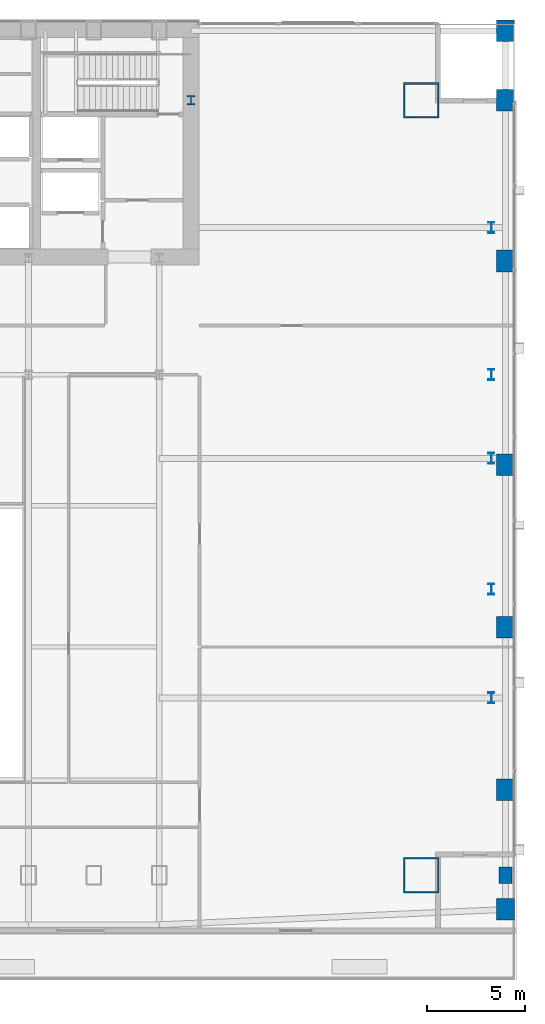
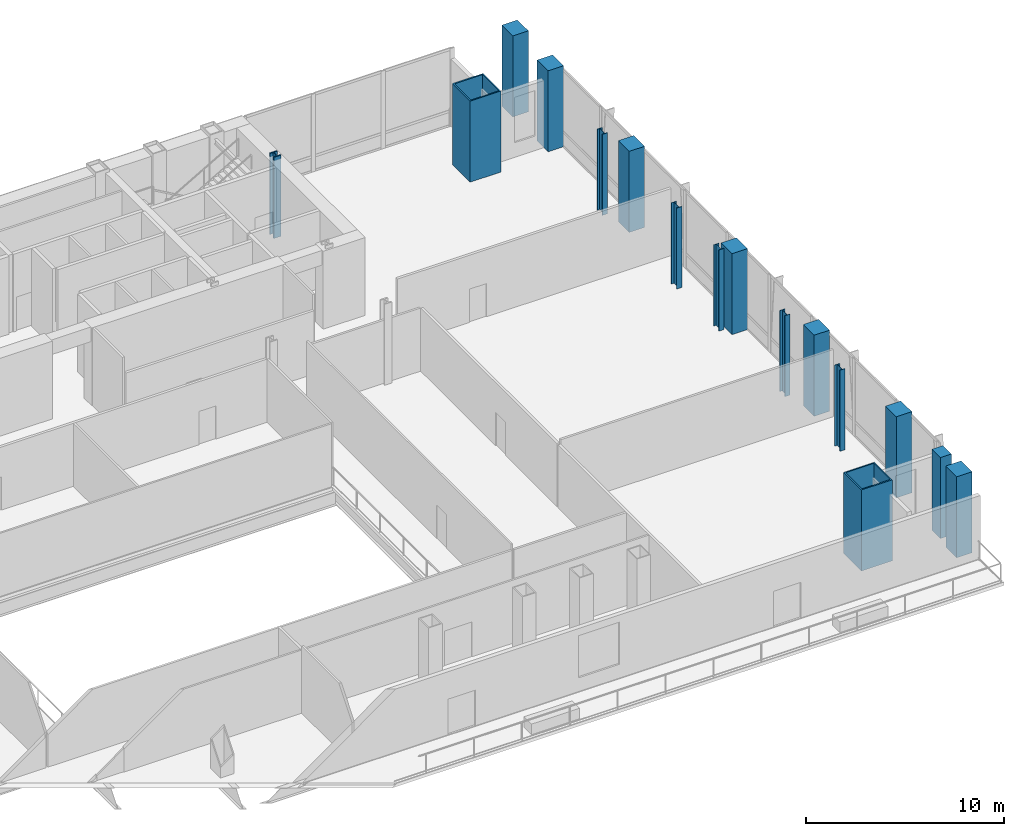
# One storey, part 4 of 26: 16 columns.
"""IFC4 building model written with IfcOpenShell, lengths in metres."""

from ifc_helpers import new_model, si_unit, direction, frame, origin, origin_2d, place, context, subcontext, project, spatial, rectangle, hollow_rectangle, i_section, extrude, material, material_profile, profile_set, type_object, element, save


model = new_model("IFC4")

# Units and contexts
model_context = context("Model", 3, precision=1e-05, world=origin(), true_north=direction((0.0, 1.0)))
body_context = subcontext(model_context, "Body", "Model", "MODEL_VIEW")
ifc_project = project(units=[si_unit("LENGTHUNIT", "METRE"), si_unit("AREAUNIT", "SQUARE_METRE"), si_unit("VOLUMEUNIT", "CUBIC_METRE"), si_unit("PLANEANGLEUNIT", "RADIAN"), si_unit("MASSUNIT", "GRAM", prefix="KILO")], contexts=[model_context])

# Site, building, storey
site_placement = place(None, origin())
site = spatial("IfcSite", under=ifc_project, at=site_placement, CompositionType="ELEMENT")
building_placement = place(site_placement, origin())
building = spatial("IfcBuilding", under=site, at=building_placement, Name="Khoronbel Lancet Exchange", CompositionType="ELEMENT")
storey_placement = place(building_placement, frame((0.0, 0.0, 5.39990234375)))
storey = spatial("IfcBuildingStorey", under=building, at=storey_placement, Name="L01", CompositionType="ELEMENT", Elevation=5.39990234375)

# Columns
ifc_material_1 = material(Name="Steel S460", Category="steel")
ifc_material_profile_1 = material_profile(ifc_material_1, i_section(OverallWidth=0.424072265625, OverallDepth=0.47412109375, WebThickness=0.047607421875, FlangeThickness=0.076904296875, at=origin_2d()), Name="HD 400x634")
ifc_profile_set_1 = profile_set([ifc_material_profile_1], Name="Steel S460")
column_type_1 = type_object("IfcColumnType", Name="COL-IC1", PredefinedType="COLUMN", material=ifc_profile_set_1)
column_1_placement = place(storey_placement, frame((56.300048828125, 49.699951171875, 0.0), z_axis=(0.0, 0.0, 1.0), x_axis=(1.0, 0.0, 0.0)))
element("IfcColumn", 1, at=column_1_placement, inside=storey, type_object=column_type_1, Name="Core-flank plumb transfer column CFE L01", PredefinedType="COLUMN", context=body_context, shape_type="SweptSolid", body=[
    extrude(i_section(OverallWidth=0.424072265625, OverallDepth=0.47412109375, WebThickness=0.047607421875, FlangeThickness=0.076904296875, at=origin_2d()), origin(), (0.0, 0.0, 1.0), 5.0),
])
ifc_material_2 = material(Name="Steel S355", Category="steel")
ifc_material_profile_2 = material_profile(ifc_material_2, i_section(OverallWidth=0.300048828125, OverallDepth=0.550048828125, WebThickness=0.014892578125, FlangeThickness=0.029052734375, at=origin_2d()), Name="HEB 550")
ifc_profile_set_2 = profile_set([ifc_material_profile_2], Name="Steel S355")
column_type_2 = type_object("IfcColumnType", Name="COL-LC1", PredefinedType="COLUMN", material=ifc_profile_set_2)
for number, where, z_axis, x_axis, name in (
    (2, (71.6298828125, 19.199951171875, 0.0), (0.0, 0.0, 1.0), (1.0, 0.0, 0.0), "Structural column EC-1 L01"),
    (3, (71.6298828125, 24.75, 0.0), (0.0, 0.0, 1.0), (1.0, 0.0, 0.0), "Structural column EC-2 L01"),
    (4, (71.6298828125, 31.425048828125, 0.0), (0.0, 0.0, 1.0), (1.0, 0.0, 0.0), "Structural column EC-M L01"),
    (5, (71.6298828125, 35.699951171875, 0.0), (0.0, 0.0, 1.0), (1.0, 0.0, 0.0), "Structural column EC-3 L01"),
    (6, (71.6298828125, 43.199951171875, 0.0), (0.0, 0.0, 1.0), (1.0, 0.0, 0.0), "Structural column EC-4 L01"),
):
    element("IfcColumn", number, at=place(storey_placement, frame(where, z_axis=z_axis, x_axis=x_axis)), inside=storey, type_object=column_type_2, Name=name, PredefinedType="COLUMN", context=body_context, shape_type="SweptSolid", body=[
        extrude(i_section(OverallWidth=0.300048828125, OverallDepth=0.550048828125, WebThickness=0.014892578125, FlangeThickness=0.029052734375, at=origin_2d()), origin(), (0.0, 0.0, 1.0), 5.0),
    ])
ifc_material_profile_3 = material_profile(ifc_material_1, hollow_rectangle(XDim=1.800048828125, YDim=1.800048828125, WallThickness=0.080078125, at=origin_2d()), Name="BOX 1800x1800x80")
ifc_profile_set_3 = profile_set([ifc_material_profile_3], Name="Steel S460")
column_type_3 = type_object("IfcColumnType", Name="COL-MC1", PredefinedType="COLUMN", material=ifc_profile_set_3)
for number, where, z_axis, x_axis, name in (
    (7, (68.050048828125, 10.14990234375, 0.0), (0.0, 0.0, 1.0), (1.0, 0.0, 0.0), "Structural column MC-SE L01"),
    (8, (68.050048828125, 49.699951171875, 0.0), (0.0, 0.0, 1.0), (1.0, 0.0, 0.0), "Structural column MC-NE L01"),
):
    element("IfcColumn", number, at=place(storey_placement, frame(where, z_axis=z_axis, x_axis=x_axis)), inside=storey, type_object=column_type_3, Name=name, PredefinedType="COLUMN", context=body_context, shape_type="SweptSolid", body=[
        extrude(hollow_rectangle(XDim=1.800048828125, YDim=1.800048828125, WallThickness=0.080078125, at=origin_2d()), origin(), (0.0, 0.0, 1.0), 5.0),
    ])
ifc_material_3 = material(Name="Concrete C60/75", Category="concrete")
ifc_material_profile_4 = material_profile(ifc_material_3, rectangle(XDim=0.89990234375, YDim=1.10009765625, at=origin_2d()), Name="RC 900x1100")
ifc_profile_set_4 = profile_set([ifc_material_profile_4], Name="Concrete C60/75")
column_type_4 = type_object("IfcColumnType", Name="COL-PIL1", PredefinedType="PILASTER", material=ifc_profile_set_4)
for number, where, z_axis, x_axis, name in (
    (9, (72.35009765625, 8.39990234375, 0.0), (0.0, 0.0, 1.0), (1.0, 0.0, 0.0), "Podium Gothic colonnade pilaster SEP L01"),
    (10, (72.35009765625, 49.699951171875, 0.0), (0.0, 0.0, 1.0), (1.0, 0.0, 0.0), "Podium Gothic colonnade pilaster NEMC L01"),
    (11, (72.35009765625, 53.25, 0.0), (0.0, 0.0, 1.0), (1.0, 0.0, 0.0), "Podium Gothic colonnade pilaster NEP L01"),
    (12, (72.35009765625, 14.5, 0.0), (0.0, 0.0, 1.0), (1.0, 0.0, 0.0), "Podium Gothic colonnade pilaster E1 L01"),
    (13, (72.35009765625, 22.800048828125, 0.0), (0.0, 0.0, 1.0), (1.0, 0.0, 0.0), "Podium Gothic colonnade pilaster E2 L01"),
    (14, (72.35009765625, 31.10009765625, 0.0), (0.0, 0.0, 1.0), (1.0, 0.0, 0.0), "Podium Gothic colonnade pilaster E3 L01"),
    (15, (72.35009765625, 41.5, 0.0), (0.0, 0.0, 1.0), (1.0, 0.0, 0.0), "Podium Gothic colonnade pilaster E4 L01"),
):
    element("IfcColumn", number, at=place(storey_placement, frame(where, z_axis=z_axis, x_axis=x_axis)), inside=storey, type_object=column_type_4, Name=name, PredefinedType="PILASTER", context=body_context, shape_type="SweptSolid", body=[
        extrude(rectangle(XDim=0.89990234375, YDim=1.10009765625, at=origin_2d()), origin(), (0.0, 0.0, 1.0), 5.0),
    ])
ifc_material_profile_5 = material_profile(ifc_material_3, rectangle(XDim=0.64990234375, YDim=0.85009765625, at=origin_2d()), Name="RC 650x850")
ifc_profile_set_5 = profile_set([ifc_material_profile_5], Name="Concrete C60/75")
column_type_5 = type_object("IfcColumnType", Name="COL-PIL3", PredefinedType="PILASTER", material=ifc_profile_set_5)
column_2_placement = place(storey_placement, frame((72.35009765625, 10.14990234375, 0.0), z_axis=(0.0, 0.0, 1.0), x_axis=(1.0, 0.0, 0.0)))
element("IfcColumn", 16, at=column_2_placement, inside=storey, type_object=column_type_5, Name="Podium Gothic colonnade pilaster EMC L01", PredefinedType="PILASTER", context=body_context, shape_type="SweptSolid", body=[
    extrude(rectangle(XDim=0.64990234375, YDim=0.85009765625, at=origin_2d()), origin(), (0.0, 0.0, 1.0), 5.0),
])

save(model, "model.ifc")
